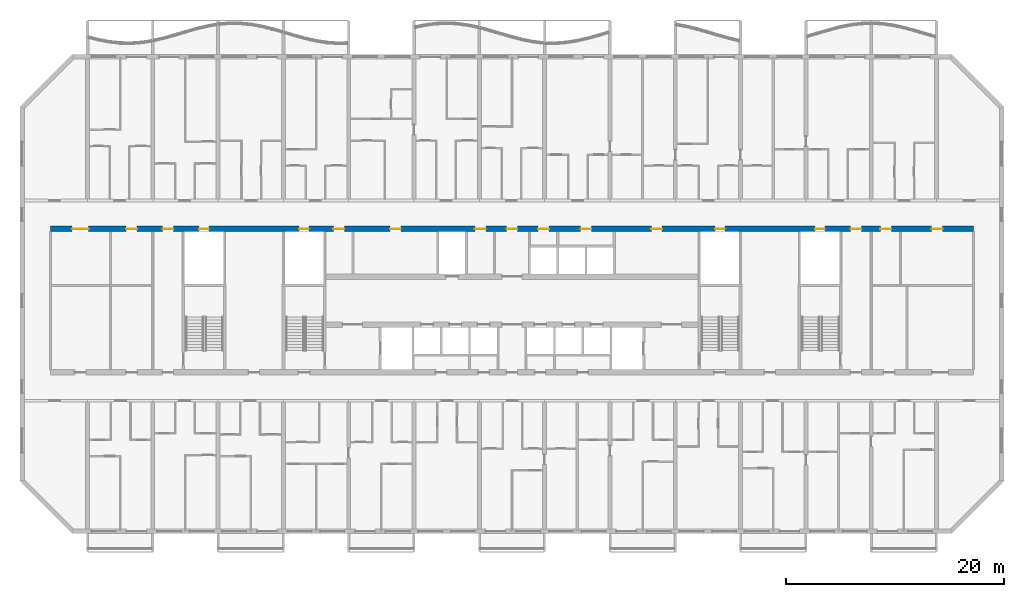
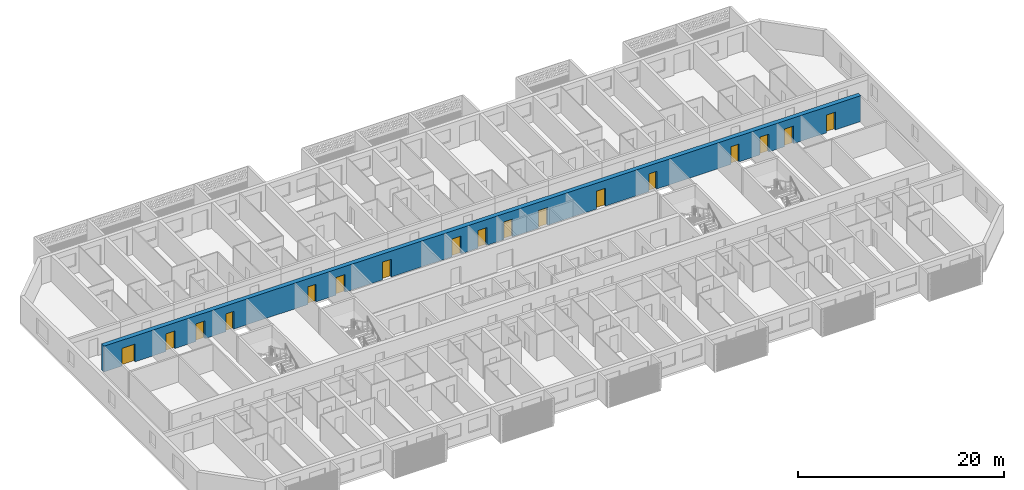
# One storey, part 8 of 26: 17 doors, 1 wall, 17 openings.
"""IFC4 building model written with IfcOpenShell, lengths in metres."""

from ifc_helpers import new_model, si_unit, direction, frame, frame_2d, origin, place, context, subcontext, project, spatial, rectangle, extrude, material, layer, layer_set, type_object, element, fill, save


model = new_model("IFC4")

# Units and contexts
model_context = context("Model", 3, precision=1e-05, world=origin(), true_north=direction((0.0, 1.0)))
body_context = subcontext(model_context, "Body", "Model", "MODEL_VIEW")
ifc_project = project(units=[si_unit("LENGTHUNIT", "METRE"), si_unit("AREAUNIT", "SQUARE_METRE"), si_unit("VOLUMEUNIT", "CUBIC_METRE"), si_unit("PLANEANGLEUNIT", "RADIAN"), si_unit("MASSUNIT", "GRAM", prefix="KILO")], contexts=[model_context])

# Site, building, storey
site_placement = place(None, origin())
site = spatial("IfcSite", under=ifc_project, at=site_placement, CompositionType="ELEMENT")
building_placement = place(site_placement, origin())
building = spatial("IfcBuilding", under=site, at=building_placement, Name="Poui Terraces", CompositionType="ELEMENT")
storey_placement = place(building_placement, frame((0.0, 0.0, 79.5)))
storey = spatial("IfcBuildingStorey", under=building, at=storey_placement, Name="L21", CompositionType="ELEMENT", Elevation=79.5)

# Wall, openings, doors
ifc_material_1 = material(Name="Concrete 65 MPa", Category="concrete")
ifc_layer = layer(ifc_material_1, 0.5)
ifc_layer_set = layer_set([ifc_layer], Name="Concrete 65 MPa")
wall_type = type_object("IfcWallType", Name="SPINE WALL 500 65 MPA", PredefinedType="SOLIDWALL", material=ifc_layer_set)
wall_placement = place(storey_placement, frame((8.60009765625, 27.800048828125, 0.0), z_axis=(0.0, 0.0, 1.0), x_axis=(1.0, 0.0, 0.0)))
wall = element("IfcWall", 1, at=wall_placement, inside=storey, type_object=wall_type, Name="SPINE WALL", PredefinedType="SOLIDWALL", context=body_context, shape_type="SweptSolid", body=[
    extrude(rectangle(XDim=84.7998046875, YDim=0.5, at=frame_2d((42.39990234375, 0.0))), origin(), (0.0, 0.0, 1.0), 3.06005859375),
])
opening_1_placement = place(wall_placement, frame((2.0, 0.0, 0.0)))
opening_1 = element("IfcOpeningElement", 2, at=opening_1_placement, cuts=wall, Name="Opening FDP", PredefinedType="OPENING", context=body_context, shape_type="SweptSolid", body=[
    extrude(rectangle(XDim=1.5, YDim=2.10009765625, at=frame_2d((0.75, 1.050048828125))), frame((0.0, 0.260009765625, 0.0), z_axis=(0.0, -1.0, 0.0), x_axis=(1.0, 0.0, 0.0)), (0.0, 0.0, 1.0), 0.52001953125),
])
opening_2_placement = place(wall_placement, frame((6.949951171875, 0.0, 0.0)))
opening_2 = element("IfcOpeningElement", 3, at=opening_2_placement, cuts=wall, Name="Opening D100", PredefinedType="OPENING", context=body_context, shape_type="SweptSolid", body=[
    extrude(rectangle(XDim=1.0, YDim=2.10009765625, at=frame_2d((0.5, 1.050048828125))), frame((0.0, 0.260009765625, 0.0), z_axis=(0.0, -1.0, 0.0), x_axis=(1.0, 0.0, 0.0)), (0.0, 0.0, 1.0), 0.52001953125),
])
opening_3_placement = place(wall_placement, frame((10.300048828125, 0.0, 0.0)))
opening_3 = element("IfcOpeningElement", 4, at=opening_3_placement, cuts=wall, Name="Opening FDL", PredefinedType="OPENING", context=body_context, shape_type="SweptSolid", body=[
    extrude(rectangle(XDim=1.0, YDim=2.10009765625, at=frame_2d((0.5, 1.050048828125))), frame((0.0, 0.260009765625, 0.0), z_axis=(0.0, -1.0, 0.0), x_axis=(1.0, 0.0, 0.0)), (0.0, 0.0, 1.0), 0.52001953125),
])
opening_4_placement = place(wall_placement, frame((13.64990234375, 0.0, 0.0)))
opening_4 = element("IfcOpeningElement", 5, at=opening_4_placement, cuts=wall, Name="Opening FDR", PredefinedType="OPENING", context=body_context, shape_type="SweptSolid", body=[
    extrude(rectangle(XDim=0.89990234375, YDim=2.10009765625, at=frame_2d((0.449951171875, 1.050048828125))), frame((0.0, 0.260009765625, 0.0), z_axis=(0.0, -1.0, 0.0), x_axis=(1.0, 0.0, 0.0)), (0.0, 0.0, 1.0), 0.52001953125),
])
opening_5_placement = place(wall_placement, frame((22.85009765625, 0.0, 0.0)))
opening_5 = element("IfcOpeningElement", 6, at=opening_5_placement, cuts=wall, Name="Opening FDR", PredefinedType="OPENING", context=body_context, shape_type="SweptSolid", body=[
    extrude(rectangle(XDim=0.89990234375, YDim=2.10009765625, at=frame_2d((0.449951171875, 1.050048828125))), frame((0.0, 0.260009765625, 0.0), z_axis=(0.0, -1.0, 0.0), x_axis=(1.0, 0.0, 0.0)), (0.0, 0.0, 1.0), 0.52001953125),
])
opening_6_placement = place(wall_placement, frame((26.0, 0.0, 0.0)))
opening_6 = element("IfcOpeningElement", 7, at=opening_6_placement, cuts=wall, Name="Opening FD60", PredefinedType="OPENING", context=body_context, shape_type="SweptSolid", body=[
    extrude(rectangle(XDim=1.0, YDim=2.10009765625, at=frame_2d((0.5, 1.050048828125))), frame((0.0, 0.260009765625, 0.0), z_axis=(0.0, -1.0, 0.0), x_axis=(1.0, 0.0, 0.0)), (0.0, 0.0, 1.0), 0.52001953125),
])
opening_7_placement = place(wall_placement, frame((31.199951171875, 0.0, 0.0)))
opening_7 = element("IfcOpeningElement", 8, at=opening_7_placement, cuts=wall, Name="Opening FD60", PredefinedType="OPENING", context=body_context, shape_type="SweptSolid", body=[
    extrude(rectangle(XDim=1.0, YDim=2.10009765625, at=frame_2d((0.5, 1.050048828125))), frame((0.0, 0.260009765625, 0.0), z_axis=(0.0, -1.0, 0.0), x_axis=(1.0, 0.0, 0.0)), (0.0, 0.0, 1.0), 0.52001953125),
])
opening_8_placement = place(wall_placement, frame((39.0, 0.0, 0.0)))
opening_8 = element("IfcOpeningElement", 9, at=opening_8_placement, cuts=wall, Name="Opening FD60", PredefinedType="OPENING", context=body_context, shape_type="SweptSolid", body=[
    extrude(rectangle(XDim=1.0, YDim=2.10009765625, at=frame_2d((0.5, 1.050048828125))), frame((0.0, 0.260009765625, 0.0), z_axis=(0.0, -1.0, 0.0), x_axis=(1.0, 0.0, 0.0)), (0.0, 0.0, 1.0), 0.52001953125),
])
opening_9_placement = place(wall_placement, frame((41.89990234375, 0.0, 0.0)))
opening_9 = element("IfcOpeningElement", 10, at=opening_9_placement, cuts=wall, Name="Opening FDL", PredefinedType="OPENING", context=body_context, shape_type="SweptSolid", body=[
    extrude(rectangle(XDim=1.0, YDim=2.10009765625, at=frame_2d((0.5, 1.050048828125))), frame((0.0, 0.260009765625, 0.0), z_axis=(0.0, -1.0, 0.0), x_axis=(1.0, 0.0, 0.0)), (0.0, 0.0, 1.0), 0.52001953125),
])
opening_10_placement = place(wall_placement, frame((44.800048828125, 0.0, 0.0)))
opening_10 = element("IfcOpeningElement", 11, at=opening_10_placement, cuts=wall, Name="Opening FD60", PredefinedType="OPENING", context=body_context, shape_type="SweptSolid", body=[
    extrude(rectangle(XDim=1.0, YDim=2.10009765625, at=frame_2d((0.5, 1.050048828125))), frame((0.0, 0.260009765625, 0.0), z_axis=(0.0, -1.0, 0.0), x_axis=(1.0, 0.0, 0.0)), (0.0, 0.0, 1.0), 0.52001953125),
])
opening_11_placement = place(wall_placement, frame((48.699951171875, 0.0, 0.0)))
opening_11 = element("IfcOpeningElement", 12, at=opening_11_placement, cuts=wall, Name="Opening FD60", PredefinedType="OPENING", context=body_context, shape_type="SweptSolid", body=[
    extrude(rectangle(XDim=1.0, YDim=2.10009765625, at=frame_2d((0.5, 1.050048828125))), frame((0.0, 0.260009765625, 0.0), z_axis=(0.0, -1.0, 0.0), x_axis=(1.0, 0.0, 0.0)), (0.0, 0.0, 1.0), 0.52001953125),
])
opening_12_placement = place(wall_placement, frame((55.199951171875, 0.0, 0.0)))
opening_12 = element("IfcOpeningElement", 13, at=opening_12_placement, cuts=wall, Name="Opening FD60", PredefinedType="OPENING", context=body_context, shape_type="SweptSolid", body=[
    extrude(rectangle(XDim=1.0, YDim=2.10009765625, at=frame_2d((0.5, 1.050048828125))), frame((0.0, 0.260009765625, 0.0), z_axis=(0.0, -1.0, 0.0), x_axis=(1.0, 0.0, 0.0)), (0.0, 0.0, 1.0), 0.52001953125),
])
opening_13_placement = place(wall_placement, frame((61.050048828125, 0.0, 0.0)))
opening_13 = element("IfcOpeningElement", 14, at=opening_13_placement, cuts=wall, Name="Opening FDR", PredefinedType="OPENING", context=body_context, shape_type="SweptSolid", body=[
    extrude(rectangle(XDim=0.89990234375, YDim=2.10009765625, at=frame_2d((0.449951171875, 1.050048828125))), frame((0.0, 0.260009765625, 0.0), z_axis=(0.0, -1.0, 0.0), x_axis=(1.0, 0.0, 0.0)), (0.0, 0.0, 1.0), 0.52001953125),
])
opening_14_placement = place(wall_placement, frame((70.25, 0.0, 0.0)))
opening_14 = element("IfcOpeningElement", 15, at=opening_14_placement, cuts=wall, Name="Opening FDR", PredefinedType="OPENING", context=body_context, shape_type="SweptSolid", body=[
    extrude(rectangle(XDim=0.89990234375, YDim=2.10009765625, at=frame_2d((0.449951171875, 1.050048828125))), frame((0.0, 0.260009765625, 0.0), z_axis=(0.0, -1.0, 0.0), x_axis=(1.0, 0.0, 0.0)), (0.0, 0.0, 1.0), 0.52001953125),
])
opening_15_placement = place(wall_placement, frame((73.5, 0.0, 0.0)))
opening_15 = element("IfcOpeningElement", 16, at=opening_15_placement, cuts=wall, Name="Opening FDL", PredefinedType="OPENING", context=body_context, shape_type="SweptSolid", body=[
    extrude(rectangle(XDim=1.0, YDim=2.10009765625, at=frame_2d((0.5, 1.050048828125))), frame((0.0, 0.260009765625, 0.0), z_axis=(0.0, -1.0, 0.0), x_axis=(1.0, 0.0, 0.0)), (0.0, 0.0, 1.0), 0.52001953125),
])
opening_16_placement = place(wall_placement, frame((76.25, 0.0, 0.0)))
opening_16 = element("IfcOpeningElement", 17, at=opening_16_placement, cuts=wall, Name="Opening FD60", PredefinedType="OPENING", context=body_context, shape_type="SweptSolid", body=[
    extrude(rectangle(XDim=1.0, YDim=2.10009765625, at=frame_2d((0.5, 1.050048828125))), frame((0.0, 0.260009765625, 0.0), z_axis=(0.0, -1.0, 0.0), x_axis=(1.0, 0.0, 0.0)), (0.0, 0.0, 1.0), 0.52001953125),
])
opening_17_placement = place(wall_placement, frame((80.949951171875, 0.0, 0.0)))
opening_17 = element("IfcOpeningElement", 18, at=opening_17_placement, cuts=wall, Name="Opening FD60", PredefinedType="OPENING", context=body_context, shape_type="SweptSolid", body=[
    extrude(rectangle(XDim=1.0, YDim=2.10009765625, at=frame_2d((0.5, 1.050048828125))), frame((0.0, 0.260009765625, 0.0), z_axis=(0.0, -1.0, 0.0), x_axis=(1.0, 0.0, 0.0)), (0.0, 0.0, 1.0), 0.52001953125),
])
ifc_material_2 = material(Name="Solid core timber door", Category="wood")
door_type_1 = type_object("IfcDoorType", Name="ACCESSIBLE INTERNAL DOOR 1000 X 2100", OperationType="NOTDEFINED", PredefinedType="DOOR", material=ifc_material_2)
door_1_placement = place(opening_2_placement, origin())
door_1 = element("IfcDoor", 19, at=door_1_placement, inside=storey, type_object=door_type_1, Name="ACCESSIBLE INTERNAL DOOR 002", OperationType="SINGLE_SWING_RIGHT", OverallHeight=2.10009765625, OverallWidth=1.0, PredefinedType="DOOR", context=body_context, shape_type="SweptSolid", body=[
    extrude(rectangle(XDim=1.0, YDim=2.10009765625, at=frame_2d((0.5, 1.050048828125))), frame((0.0, 0.02490234375, 0.0), z_axis=(0.0, -1.0, 0.0), x_axis=(1.0, 0.0, 0.0)), (0.0, 0.0, 1.0), 0.050048828125),
])
fill(opening_2, door_1)
ifc_material_3 = material(Name="Steel fire door", Category="steel")
door_type_2 = type_object("IfcDoorType", Name="LOBBY FIRE DOOR 1000 X 2100", OperationType="NOTDEFINED", PredefinedType="DOOR", material=ifc_material_3)
door_2_placement = place(opening_3_placement, origin())
door_2 = element("IfcDoor", 20, at=door_2_placement, inside=storey, type_object=door_type_2, Name="LOBBY FIRE DOOR 003", OperationType="SINGLE_SWING_LEFT", OverallHeight=2.10009765625, OverallWidth=1.0, PredefinedType="DOOR", context=body_context, shape_type="SweptSolid", body=[
    extrude(rectangle(XDim=1.0, YDim=2.10009765625, at=frame_2d((0.5, 1.050048828125))), frame((0.0, 0.02490234375, 0.0), z_axis=(0.0, -1.0, 0.0), x_axis=(1.0, 0.0, 0.0)), (0.0, 0.0, 1.0), 0.050048828125),
])
fill(opening_3, door_2)
door_3_placement = place(opening_9_placement, origin())
door_3 = element("IfcDoor", 21, at=door_3_placement, inside=storey, type_object=door_type_2, Name="LOBBY FIRE DOOR 009", OperationType="SINGLE_SWING_RIGHT", OverallHeight=2.10009765625, OverallWidth=1.0, PredefinedType="DOOR", context=body_context, shape_type="SweptSolid", body=[
    extrude(rectangle(XDim=1.0, YDim=2.10009765625, at=frame_2d((0.5, 1.050048828125))), frame((0.0, 0.02490234375, 0.0), z_axis=(0.0, -1.0, 0.0), x_axis=(1.0, 0.0, 0.0)), (0.0, 0.0, 1.0), 0.050048828125),
])
fill(opening_9, door_3)
door_4_placement = place(opening_15_placement, origin())
door_4 = element("IfcDoor", 22, at=door_4_placement, inside=storey, type_object=door_type_2, Name="LOBBY FIRE DOOR 015", OperationType="SINGLE_SWING_RIGHT", OverallHeight=2.10009765625, OverallWidth=1.0, PredefinedType="DOOR", context=body_context, shape_type="SweptSolid", body=[
    extrude(rectangle(XDim=1.0, YDim=2.10009765625, at=frame_2d((0.5, 1.050048828125))), frame((0.0, 0.02490234375, 0.0), z_axis=(0.0, -1.0, 0.0), x_axis=(1.0, 0.0, 0.0)), (0.0, 0.0, 1.0), 0.050048828125),
])
fill(opening_15, door_4)
door_type_3 = type_object("IfcDoorType", Name="PLANT ROOM DOOR PAIR 1500 X 2100", OperationType="DOUBLE_DOOR_SINGLE_SWING", PredefinedType="DOOR", material=ifc_material_3)
door_5_placement = place(opening_1_placement, origin())
door_5 = element("IfcDoor", 23, at=door_5_placement, inside=storey, type_object=door_type_3, Name="PLANT ROOM DOOR PAIR 001", OperationType="DOUBLE_DOOR_SINGLE_SWING", OverallHeight=2.10009765625, OverallWidth=1.5, PredefinedType="DOOR", context=body_context, shape_type="SweptSolid", body=[
    extrude(rectangle(XDim=1.5, YDim=2.10009765625, at=frame_2d((0.75, 1.050048828125))), frame((0.0, 0.02490234375, 0.0), z_axis=(0.0, -1.0, 0.0), x_axis=(1.0, 0.0, 0.0)), (0.0, 0.0, 1.0), 0.050048828125),
])
fill(opening_1, door_5)
door_type_4 = type_object("IfcDoorType", Name="RISER CUPBOARD DOOR 900 X 2100", OperationType="NOTDEFINED", PredefinedType="DOOR", material=ifc_material_3)
door_6_placement = place(opening_4_placement, origin())
door_6 = element("IfcDoor", 24, at=door_6_placement, inside=storey, type_object=door_type_4, Name="RISER CUPBOARD DOOR 004", OperationType="SINGLE_SWING_LEFT", OverallHeight=2.10009765625, OverallWidth=0.89990234375, PredefinedType="DOOR", context=body_context, shape_type="SweptSolid", body=[
    extrude(rectangle(XDim=0.89990234375, YDim=2.10009765625, at=frame_2d((0.449951171875, 1.050048828125))), frame((0.0, 0.02490234375, 0.0), z_axis=(0.0, -1.0, 0.0), x_axis=(1.0, 0.0, 0.0)), (0.0, 0.0, 1.0), 0.050048828125),
])
fill(opening_4, door_6)
door_7_placement = place(opening_5_placement, origin())
door_7 = element("IfcDoor", 25, at=door_7_placement, inside=storey, type_object=door_type_4, Name="RISER CUPBOARD DOOR 005", OperationType="SINGLE_SWING_LEFT", OverallHeight=2.10009765625, OverallWidth=0.89990234375, PredefinedType="DOOR", context=body_context, shape_type="SweptSolid", body=[
    extrude(rectangle(XDim=0.89990234375, YDim=2.10009765625, at=frame_2d((0.449951171875, 1.050048828125))), frame((0.0, 0.02490234375, 0.0), z_axis=(0.0, -1.0, 0.0), x_axis=(1.0, 0.0, 0.0)), (0.0, 0.0, 1.0), 0.050048828125),
])
fill(opening_5, door_7)
door_8_placement = place(opening_13_placement, origin())
door_8 = element("IfcDoor", 26, at=door_8_placement, inside=storey, type_object=door_type_4, Name="RISER CUPBOARD DOOR 013", OperationType="SINGLE_SWING_RIGHT", OverallHeight=2.10009765625, OverallWidth=0.89990234375, PredefinedType="DOOR", context=body_context, shape_type="SweptSolid", body=[
    extrude(rectangle(XDim=0.89990234375, YDim=2.10009765625, at=frame_2d((0.449951171875, 1.050048828125))), frame((0.0, 0.02490234375, 0.0), z_axis=(0.0, -1.0, 0.0), x_axis=(1.0, 0.0, 0.0)), (0.0, 0.0, 1.0), 0.050048828125),
])
fill(opening_13, door_8)
door_9_placement = place(opening_14_placement, origin())
door_9 = element("IfcDoor", 27, at=door_9_placement, inside=storey, type_object=door_type_4, Name="RISER CUPBOARD DOOR 014", OperationType="SINGLE_SWING_RIGHT", OverallHeight=2.10009765625, OverallWidth=0.89990234375, PredefinedType="DOOR", context=body_context, shape_type="SweptSolid", body=[
    extrude(rectangle(XDim=0.89990234375, YDim=2.10009765625, at=frame_2d((0.449951171875, 1.050048828125))), frame((0.0, 0.02490234375, 0.0), z_axis=(0.0, -1.0, 0.0), x_axis=(1.0, 0.0, 0.0)), (0.0, 0.0, 1.0), 0.050048828125),
])
fill(opening_14, door_9)
door_type_5 = type_object("IfcDoorType", Name="SERVICE ROOM FIRE DOOR 1000 X 2100", OperationType="NOTDEFINED", PredefinedType="DOOR", material=ifc_material_3)
door_10_placement = place(opening_6_placement, origin())
door_10 = element("IfcDoor", 28, at=door_10_placement, inside=storey, type_object=door_type_5, Name="SERVICE ROOM FIRE DOOR 006", OperationType="SINGLE_SWING_LEFT", OverallHeight=2.10009765625, OverallWidth=1.0, PredefinedType="DOOR", context=body_context, shape_type="SweptSolid", body=[
    extrude(rectangle(XDim=1.0, YDim=2.10009765625, at=frame_2d((0.5, 1.050048828125))), frame((0.0, 0.02490234375, 0.0), z_axis=(0.0, -1.0, 0.0), x_axis=(1.0, 0.0, 0.0)), (0.0, 0.0, 1.0), 0.050048828125),
])
fill(opening_6, door_10)
door_11_placement = place(opening_7_placement, origin())
door_11 = element("IfcDoor", 29, at=door_11_placement, inside=storey, type_object=door_type_5, Name="SERVICE ROOM FIRE DOOR 007", OperationType="SINGLE_SWING_RIGHT", OverallHeight=2.10009765625, OverallWidth=1.0, PredefinedType="DOOR", context=body_context, shape_type="SweptSolid", body=[
    extrude(rectangle(XDim=1.0, YDim=2.10009765625, at=frame_2d((0.5, 1.050048828125))), frame((0.0, 0.02490234375, 0.0), z_axis=(0.0, -1.0, 0.0), x_axis=(1.0, 0.0, 0.0)), (0.0, 0.0, 1.0), 0.050048828125),
])
fill(opening_7, door_11)
door_12_placement = place(opening_8_placement, origin())
door_12 = element("IfcDoor", 30, at=door_12_placement, inside=storey, type_object=door_type_5, Name="SERVICE ROOM FIRE DOOR 008", OperationType="SINGLE_SWING_LEFT", OverallHeight=2.10009765625, OverallWidth=1.0, PredefinedType="DOOR", context=body_context, shape_type="SweptSolid", body=[
    extrude(rectangle(XDim=1.0, YDim=2.10009765625, at=frame_2d((0.5, 1.050048828125))), frame((0.0, 0.02490234375, 0.0), z_axis=(0.0, -1.0, 0.0), x_axis=(1.0, 0.0, 0.0)), (0.0, 0.0, 1.0), 0.050048828125),
])
fill(opening_8, door_12)
door_13_placement = place(opening_10_placement, origin())
door_13 = element("IfcDoor", 31, at=door_13_placement, inside=storey, type_object=door_type_5, Name="SERVICE ROOM FIRE DOOR 010", OperationType="SINGLE_SWING_RIGHT", OverallHeight=2.10009765625, OverallWidth=1.0, PredefinedType="DOOR", context=body_context, shape_type="SweptSolid", body=[
    extrude(rectangle(XDim=1.0, YDim=2.10009765625, at=frame_2d((0.5, 1.050048828125))), frame((0.0, 0.02490234375, 0.0), z_axis=(0.0, -1.0, 0.0), x_axis=(1.0, 0.0, 0.0)), (0.0, 0.0, 1.0), 0.050048828125),
])
fill(opening_10, door_13)
door_14_placement = place(opening_11_placement, origin())
door_14 = element("IfcDoor", 32, at=door_14_placement, inside=storey, type_object=door_type_5, Name="SERVICE ROOM FIRE DOOR 011", OperationType="SINGLE_SWING_LEFT", OverallHeight=2.10009765625, OverallWidth=1.0, PredefinedType="DOOR", context=body_context, shape_type="SweptSolid", body=[
    extrude(rectangle(XDim=1.0, YDim=2.10009765625, at=frame_2d((0.5, 1.050048828125))), frame((0.0, 0.02490234375, 0.0), z_axis=(0.0, -1.0, 0.0), x_axis=(1.0, 0.0, 0.0)), (0.0, 0.0, 1.0), 0.050048828125),
])
fill(opening_11, door_14)
door_15_placement = place(opening_12_placement, origin())
door_15 = element("IfcDoor", 33, at=door_15_placement, inside=storey, type_object=door_type_5, Name="SERVICE ROOM FIRE DOOR 012", OperationType="SINGLE_SWING_RIGHT", OverallHeight=2.10009765625, OverallWidth=1.0, PredefinedType="DOOR", context=body_context, shape_type="SweptSolid", body=[
    extrude(rectangle(XDim=1.0, YDim=2.10009765625, at=frame_2d((0.5, 1.050048828125))), frame((0.0, 0.02490234375, 0.0), z_axis=(0.0, -1.0, 0.0), x_axis=(1.0, 0.0, 0.0)), (0.0, 0.0, 1.0), 0.050048828125),
])
fill(opening_12, door_15)
door_16_placement = place(opening_16_placement, origin())
door_16 = element("IfcDoor", 34, at=door_16_placement, inside=storey, type_object=door_type_5, Name="SERVICE ROOM FIRE DOOR 016", OperationType="SINGLE_SWING_LEFT", OverallHeight=2.10009765625, OverallWidth=1.0, PredefinedType="DOOR", context=body_context, shape_type="SweptSolid", body=[
    extrude(rectangle(XDim=1.0, YDim=2.10009765625, at=frame_2d((0.5, 1.050048828125))), frame((0.0, 0.02490234375, 0.0), z_axis=(0.0, -1.0, 0.0), x_axis=(1.0, 0.0, 0.0)), (0.0, 0.0, 1.0), 0.050048828125),
])
fill(opening_16, door_16)
door_17_placement = place(opening_17_placement, origin())
door_17 = element("IfcDoor", 35, at=door_17_placement, inside=storey, type_object=door_type_5, Name="SERVICE ROOM FIRE DOOR 017", OperationType="SINGLE_SWING_RIGHT", OverallHeight=2.10009765625, OverallWidth=1.0, PredefinedType="DOOR", context=body_context, shape_type="SweptSolid", body=[
    extrude(rectangle(XDim=1.0, YDim=2.10009765625, at=frame_2d((0.5, 1.050048828125))), frame((0.0, 0.02490234375, 0.0), z_axis=(0.0, -1.0, 0.0), x_axis=(1.0, 0.0, 0.0)), (0.0, 0.0, 1.0), 0.050048828125),
])
fill(opening_17, door_17)

save(model, "model.ifc")
